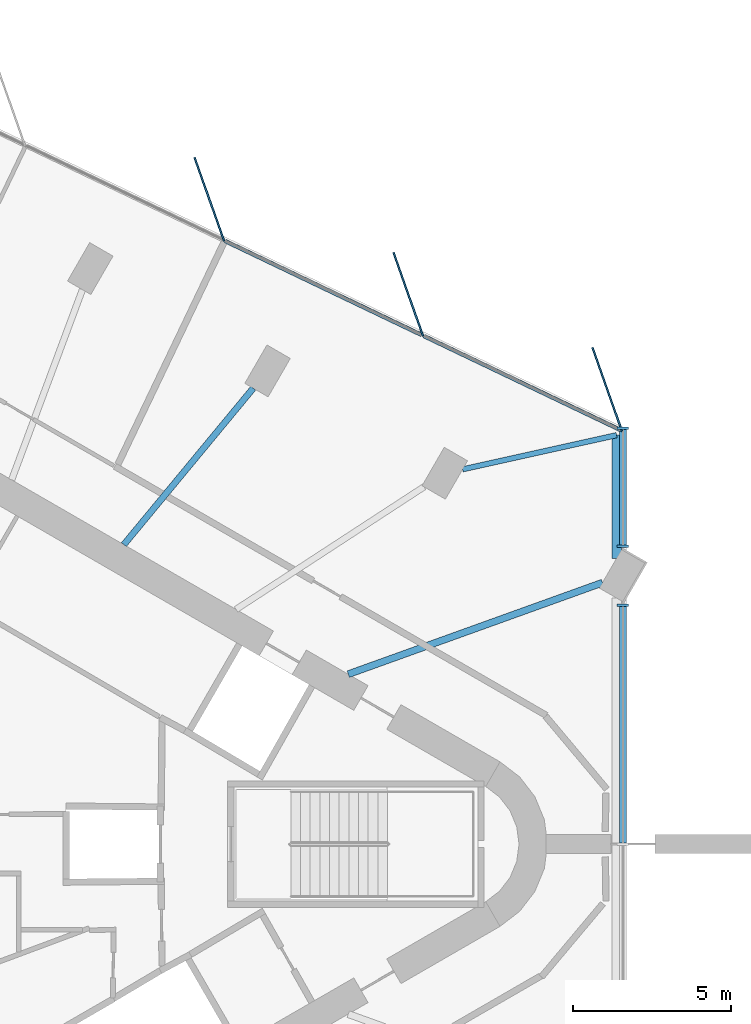
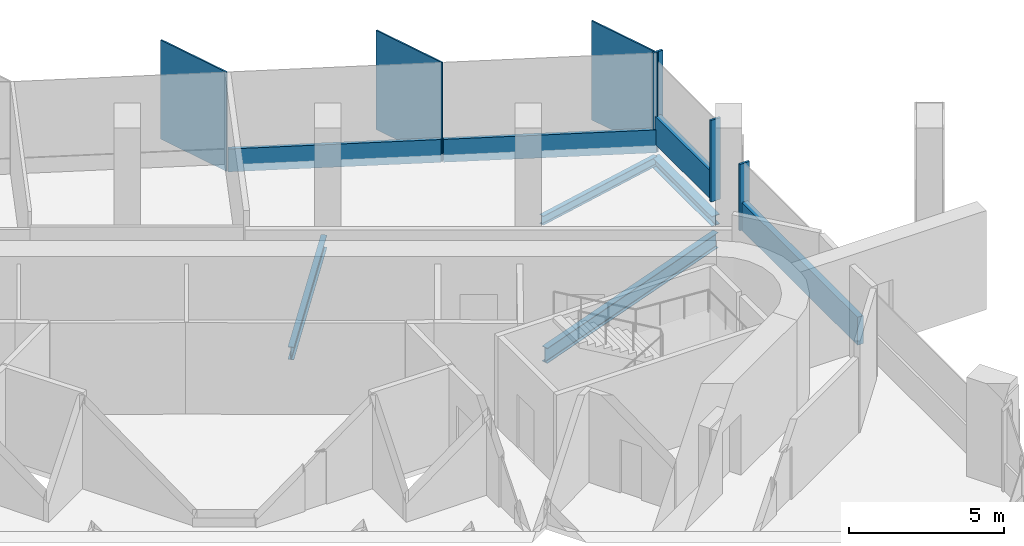
# One storey, part 5 of 12: 10 members, 4 beams, 3 elements without a shape of their own.
"""IFC4 building model written with IfcOpenShell, lengths in metres."""

from ifc_helpers import new_model, si_unit, direction, frame, origin, origin_2d, place, context, subcontext, project, spatial, rectangle, i_section, extrude, material, material_profile, profile_set, type_object, element, aggregate, save


model = new_model("IFC4")

# Units and contexts
model_context = context("Model", 3, precision=1e-05, world=origin(), true_north=direction((0.0, 1.0)))
body_context = subcontext(model_context, "Body", "Model", "MODEL_VIEW")
ifc_project = project(units=[si_unit("LENGTHUNIT", "METRE"), si_unit("AREAUNIT", "SQUARE_METRE"), si_unit("VOLUMEUNIT", "CUBIC_METRE"), si_unit("PLANEANGLEUNIT", "RADIAN"), si_unit("MASSUNIT", "GRAM", prefix="KILO")], contexts=[model_context])

# Site, building, storey
site_placement = place(None, origin())
site = spatial("IfcSite", under=ifc_project, at=site_placement, CompositionType="ELEMENT")
building_placement = place(site_placement, origin())
building = spatial("IfcBuilding", under=site, at=building_placement, Name="Tanit Gate Tower", CompositionType="ELEMENT")
storey_placement = place(building_placement, frame((0.0, 0.0, 376.699951171875)))
storey = spatial("IfcBuildingStorey", under=building, at=storey_placement, Name="L86", CompositionType="ELEMENT", Elevation=376.699951171875)

# Beam
ifc_material_1 = material(Name="Steel S355", Category="steel")
ifc_material_profile_1 = material_profile(ifc_material_1, i_section(OverallWidth=0.300048828125, OverallDepth=0.389892578125, WebThickness=0.010986328125, FlangeThickness=0.01904296875, FilletRadius=0.027099609375, at=origin_2d()), Name="HEA 400")
ifc_profile_set_1 = profile_set([ifc_material_profile_1], Name="Steel S355")
beam_type_1 = type_object("IfcBeamType", Name="EDGE BEAM HEA 400 S355", PredefinedType="BEAM", material=ifc_profile_set_1)
beam_1_placement = place(storey_placement, frame((23.3798828125, 12.913818359375, -0.494873046875), z_axis=(0.0, -1.0, 0.0), x_axis=(1.0, 0.0, 0.0)))
element("IfcBeam", 1, at=beam_1_placement, inside=storey, type_object=beam_type_1, Name="EDGE BEAM", PredefinedType="BEAM", context=body_context, shape_type="SweptSolid", body=[
    extrude(i_section(OverallWidth=0.300048828125, OverallDepth=0.389892578125, WebThickness=0.010986328125, FlangeThickness=0.01904296875, FilletRadius=0.027099609375, at=origin_2d()), origin(), (0.0, 0.0, 1.0), 3.891845703125),
])

# Curtain wall, members
ifc_material_2 = material(Name="Aluminium bronze anodised and glass", Category="aluminium")
curtain_wall_type_1 = type_object("IfcCurtainWallType", Name="Curtain wall typical high", PredefinedType="NOTDEFINED", material=ifc_material_2)
curtain_wall_1_placement = place(storey_placement, origin())
curtain_wall_1 = element("IfcCurtainWall", 2, at=curtain_wall_1_placement, inside=storey, type_object=curtain_wall_type_1, Name="Curtain wall L86 NE2c", PredefinedType="NOTDEFINED")
ifc_material_3 = material(Name="Aluminium bronze anodised", Category="aluminium")
ifc_material_profile_2 = material_profile(ifc_material_3, rectangle(XDim=2.800048828125, YDim=0.055908203125, at=origin_2d()), Name="56x2800 bronze fin mullion")
ifc_profile_set_2 = profile_set([ifc_material_profile_2], Name="Aluminium bronze anodised")
member_type_1 = type_object("IfcMemberType", Name="FIN MULLION 56x2800 bronze", PredefinedType="MULLION", material=ifc_profile_set_2)
member_1_placement = place(storey_placement, frame((23.084716796875, 14.3583984375, -0.300048828125), z_axis=(0.0, 0.0, 1.0), x_axis=(0.333090099539, -0.94289500242, 0.0)))
member_1 = element("IfcMember", 3, at=member_1_placement, type_object=member_type_1, Name="Fin mullion L86 NE2c.1", PredefinedType="MULLION", context=body_context, shape_type="SweptSolid", body=[
    extrude(rectangle(XDim=2.800048828125, YDim=0.055908203125, at=origin_2d()), origin(), (0.0, 0.0, 1.0), 3.900146484375),
])
member_2_placement = place(storey_placement, frame((16.802490234375, 17.36083984375, -0.300048828125), z_axis=(0.0, 0.0, 1.0), x_axis=(0.333090099539, -0.94289500242, 0.0)))
member_2 = element("IfcMember", 4, at=member_2_placement, type_object=member_type_1, Name="Fin mullion L86 NE2c.2", PredefinedType="MULLION", context=body_context, shape_type="SweptSolid", body=[
    extrude(rectangle(XDim=2.800048828125, YDim=0.055908203125, at=origin_2d()), origin(), (0.0, 0.0, 1.0), 3.900146484375),
])
member_3_placement = place(storey_placement, frame((10.52001953125, 20.363037109375, -0.300048828125), z_axis=(0.0, 0.0, 1.0), x_axis=(0.333090099539, -0.94289500242, 0.0)))
member_3 = element("IfcMember", 5, at=member_3_placement, type_object=member_type_1, Name="Fin mullion L86 NE2c.3", PredefinedType="MULLION", context=body_context, shape_type="SweptSolid", body=[
    extrude(rectangle(XDim=2.800048828125, YDim=0.055908203125, at=origin_2d()), origin(), (0.0, 0.0, 1.0), 3.900146484375),
])

ifc_material_4 = material(Name="Aluminium bronze anodised and glass", Category="aluminium")
curtain_wall_type_2 = type_object("IfcCurtainWallType", Name="Curtain wall portal glazing", PredefinedType="NOTDEFINED", material=ifc_material_4)
curtain_wall_2_placement = place(storey_placement, origin())
curtain_wall_2 = element("IfcCurtainWall", 6, at=curtain_wall_2_placement, inside=storey, type_object=curtain_wall_type_2, Name="Curtain wall L86 NOTCH1", PredefinedType="NOTDEFINED")
ifc_material_5 = material(Name="Aluminium bronze anodised", Category="aluminium")
ifc_material_profile_3 = material_profile(ifc_material_5, rectangle(XDim=0.360107421875, YDim=0.080078125, at=origin_2d()), Name="80x360 bronze mullion")
ifc_profile_set_3 = profile_set([ifc_material_profile_3], Name="Aluminium bronze anodised")
member_type_2 = type_object("IfcMemberType", Name="Mullion 80x360 portal glazing", PredefinedType="MULLION", material=ifc_profile_set_3)
member_4_placement = place(storey_placement, frame((23.580078125, 13.13232421875, 0.0), z_axis=(0.0, 0.0, 1.0), x_axis=(1.0, 0.0, 0.0)))
member_4 = element("IfcMember", 7, at=member_4_placement, type_object=member_type_2, Name="Mullion L86 NOTCH1.1", PredefinedType="MULLION", context=body_context, shape_type="SweptSolid", body=[
    extrude(rectangle(XDim=0.360107421875, YDim=0.080078125, at=origin_2d()), origin(), (0.0, 0.0, 1.0), 3.60009765625),
])
member_5_placement = place(storey_placement, frame((23.580078125, 9.404541015625, 0.0), z_axis=(0.0, 0.0, 1.0), x_axis=(1.0, 0.0, 0.0)))
member_5 = element("IfcMember", 8, at=member_5_placement, type_object=member_type_2, Name="Mullion L86 NOTCH1.2", PredefinedType="MULLION", context=body_context, shape_type="SweptSolid", body=[
    extrude(rectangle(XDim=0.360107421875, YDim=0.080078125, at=origin_2d()), origin(), (0.0, 0.0, 1.0), 3.2099609375),
])

# Curtain wall, member
curtain_wall_3_placement = place(storey_placement, origin())
curtain_wall_3 = element("IfcCurtainWall", 9, at=curtain_wall_3_placement, inside=storey, type_object=curtain_wall_type_2, Name="Curtain wall L86 NOTCH2", PredefinedType="NOTDEFINED")
member_6_placement = place(storey_placement, frame((23.580078125, 7.540283203125, 0.0), z_axis=(0.0, 0.0, 1.0), x_axis=(1.0, 0.0, 0.0)))
member_6 = element("IfcMember", 10, at=member_6_placement, type_object=member_type_2, Name="Mullion L86 NOTCH2.1", PredefinedType="MULLION", context=body_context, shape_type="SweptSolid", body=[
    extrude(rectangle(XDim=0.360107421875, YDim=0.080078125, at=origin_2d()), origin(), (0.0, 0.0, 1.0), 2.610107421875),
])

# Beams
ifc_material_6 = material(Name="Steel S355", Category="steel")
ifc_material_profile_4 = material_profile(ifc_material_6, i_section(OverallWidth=0.199951171875, OverallDepth=0.5, WebThickness=0.01025390625, FlangeThickness=0.01611328125, FilletRadius=0.02099609375, at=origin_2d()), Name="IPE 500")
ifc_profile_set_4 = profile_set([ifc_material_profile_4], Name="Steel S355")
beam_type_2 = type_object("IfcBeamType", Name="RADIAL GIRDER IPE 500 S355", PredefinedType="BEAM", material=ifc_profile_set_4)
beam_2_placement = place(storey_placement, frame((11.906494140625, 14.395263671875, -0.550048828125), z_axis=(-0.637361830259, -0.770564661355, 0.0), x_axis=(0.770564661355, -0.637361830259, 0.0)))
element("IfcBeam", 11, at=beam_2_placement, inside=storey, type_object=beam_type_2, Name="RADIAL GIRDER", PredefinedType="BEAM", context=body_context, shape_type="SweptSolid", body=[
    extrude(i_section(OverallWidth=0.199951171875, OverallDepth=0.5, WebThickness=0.01025390625, FlangeThickness=0.01611328125, FilletRadius=0.02099609375, at=origin_2d()), origin(), (0.0, 0.0, 1.0), 6.40771484375),
])
ifc_material_7 = material(Name="Steel S355", Category="steel")
ifc_material_profile_5 = material_profile(ifc_material_7, i_section(OverallWidth=0.219970703125, OverallDepth=0.60009765625, WebThickness=0.011962890625, FlangeThickness=0.01904296875, FilletRadius=0.02392578125, at=origin_2d()), Name="IPE 600")
ifc_profile_set_5 = profile_set([ifc_material_profile_5], Name="Steel S355")
beam_type_3 = type_object("IfcBeamType", Name="RADIAL GIRDER IPE 600 S355", PredefinedType="BEAM", material=ifc_profile_set_5)
beam_3_placement = place(storey_placement, frame((22.935302734375, 8.255615234375, -0.599853515625), z_axis=(-0.940899815791, -0.338685010952, 0.0), x_axis=(0.338685010952, -0.940899815791, 0.0)))
element("IfcBeam", 12, at=beam_3_placement, inside=storey, type_object=beam_type_3, Name="RADIAL GIRDER", PredefinedType="BEAM", context=body_context, shape_type="SweptSolid", body=[
    extrude(i_section(OverallWidth=0.219970703125, OverallDepth=0.60009765625, WebThickness=0.011962890625, FlangeThickness=0.01904296875, FilletRadius=0.02392578125, at=origin_2d()), origin(), (0.0, 0.0, 1.0), 8.530517578125),
])
ifc_material_8 = material(Name="Steel S355", Category="steel")
ifc_material_profile_6 = material_profile(ifc_material_8, i_section(OverallWidth=0.169921875, OverallDepth=0.360107421875, WebThickness=0.008056640625, FlangeThickness=0.0126953125, FilletRadius=0.01806640625, at=origin_2d()), Name="IPE 360")
ifc_profile_set_6 = profile_set([ifc_material_profile_6], Name="Steel S355")
beam_type_4 = type_object("IfcBeamType", Name="RING BEAM IPE 360 S355", PredefinedType="BEAM", material=ifc_profile_set_6)
beam_4_placement = place(storey_placement, frame((23.3798828125, 12.913818359375, -0.47998046875), z_axis=(-0.9762470252, -0.216660438908, 0.0), x_axis=(0.216660438908, -0.9762470252, 0.0)))
element("IfcBeam", 13, at=beam_4_placement, inside=storey, type_object=beam_type_4, Name="RING BEAM", PredefinedType="BEAM", context=body_context, shape_type="SweptSolid", body=[
    extrude(i_section(OverallWidth=0.169921875, OverallDepth=0.360107421875, WebThickness=0.008056640625, FlangeThickness=0.0126953125, FilletRadius=0.01806640625, at=origin_2d()), origin(), (0.0, 0.0, 1.0), 4.978271484375),
])

# Member
ifc_material_9 = material(Name="Aluminium bronze anodised", Category="aluminium")
ifc_material_profile_7 = material_profile(ifc_material_9, rectangle(XDim=0.1201171875, YDim=0.89990234375, at=origin_2d()), Name="120x900 bronze transom")
ifc_profile_set_7 = profile_set([ifc_material_profile_7], Name="Aluminium bronze anodised")
member_type_3 = type_object("IfcMemberType", Name="Transom 120x900 typical high", PredefinedType="USERDEFINED", material=ifc_profile_set_7)
member_7_placement = place(storey_placement, frame((23.50830078125, 13.07421875, 0.150146484375), z_axis=(-0.90226563926, 0.431180607416, 0.0), x_axis=(-0.431180607416, -0.90226563926, 0.0)))
member_7 = element("IfcMember", 14, at=member_7_placement, type_object=member_type_3, Name="Transom L86 NE2c.1", ObjectType="TRANSOM", PredefinedType="USERDEFINED", context=body_context, shape_type="SweptSolid", body=[
    extrude(rectangle(XDim=0.1201171875, YDim=0.89990234375, at=origin_2d()), origin(), (0.0, 0.0, 1.0), 6.8828125),
])

member_8_placement = place(storey_placement, frame((17.22607421875, 16.07666015625, 0.150146484375), z_axis=(-0.90226563926, 0.431180607416, 0.0), x_axis=(-0.431180607416, -0.90226563926, 0.0)))
member_8 = element("IfcMember", 15, at=member_8_placement, type_object=member_type_3, Name="Transom L86 NE2c.2", ObjectType="TRANSOM", PredefinedType="USERDEFINED", context=body_context, shape_type="SweptSolid", body=[
    extrude(rectangle(XDim=0.1201171875, YDim=0.89990234375, at=origin_2d()), origin(), (0.0, 0.0, 1.0), 6.8828125),
])

aggregate(curtain_wall_1, [member_1, member_2, member_3, member_7, member_8])

ifc_material_10 = material(Name="Aluminium bronze anodised", Category="aluminium")
ifc_material_profile_8 = material_profile(ifc_material_10, rectangle(XDim=0.219970703125, YDim=1.10009765625, at=origin_2d()), Name="220x1100 bronze transom")
ifc_profile_set_8 = profile_set([ifc_material_profile_8], Name="Aluminium bronze anodised")
member_type_4 = type_object("IfcMemberType", Name="Transom 220x1100 portal glazing", PredefinedType="USERDEFINED", material=ifc_profile_set_8)
member_9_placement = place(storey_placement, frame((23.580078125, 13.09228515625, 0.550048828125), z_axis=(0.0, -1.0, 0.0), x_axis=(1.0, 0.0, 0.0)))
member_9 = element("IfcMember", 16, at=member_9_placement, type_object=member_type_4, Name="Transom L86 NOTCH1.1", ObjectType="TRANSOM", PredefinedType="USERDEFINED", context=body_context, shape_type="SweptSolid", body=[
    extrude(rectangle(XDim=0.219970703125, YDim=1.10009765625, at=origin_2d()), origin(), (0.0, 0.0, 1.0), 3.647705078125),
])

aggregate(curtain_wall_2, [member_4, member_5, member_9])

member_10_placement = place(storey_placement, frame((23.580078125, 7.500244140625, 0.550048828125), z_axis=(0.0, -1.0, 0.0), x_axis=(1.0, 0.0, 0.0)))
member_10 = element("IfcMember", 17, at=member_10_placement, type_object=member_type_4, Name="Transom L86 NOTCH2.1", ObjectType="TRANSOM", PredefinedType="USERDEFINED", context=body_context, shape_type="SweptSolid", body=[
    extrude(rectangle(XDim=0.219970703125, YDim=1.10009765625, at=origin_2d()), origin(), (0.0, 0.0, 1.0), 7.460205078125),
])

aggregate(curtain_wall_3, [member_6, member_10])

save(model, "model.ifc")
